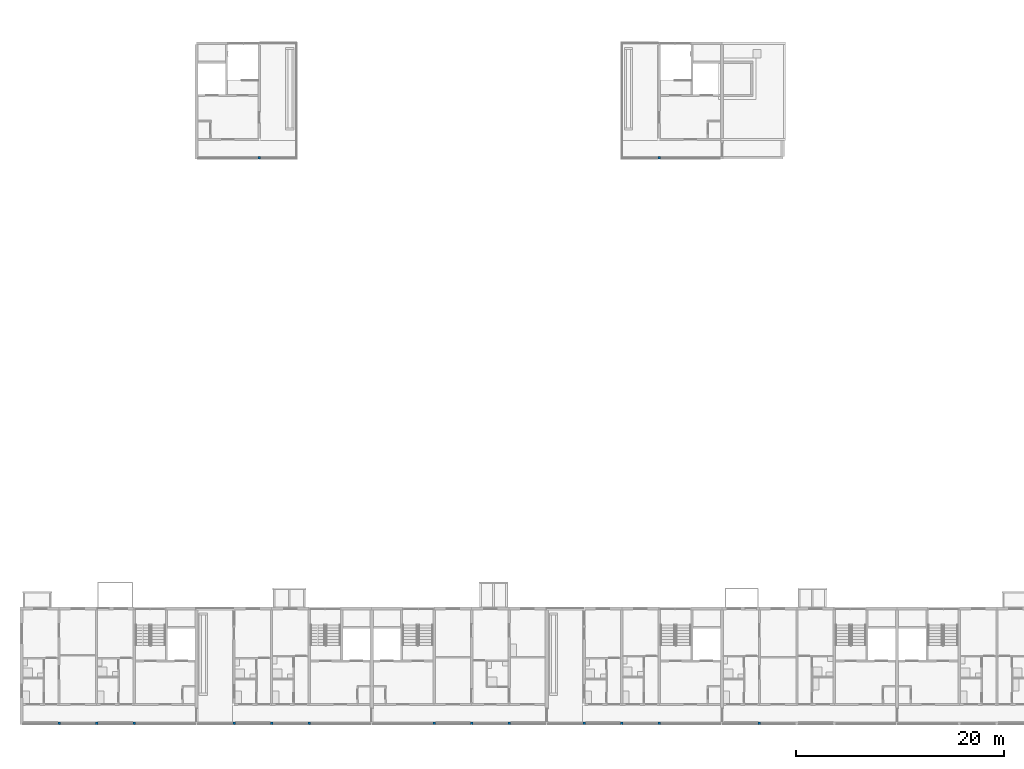
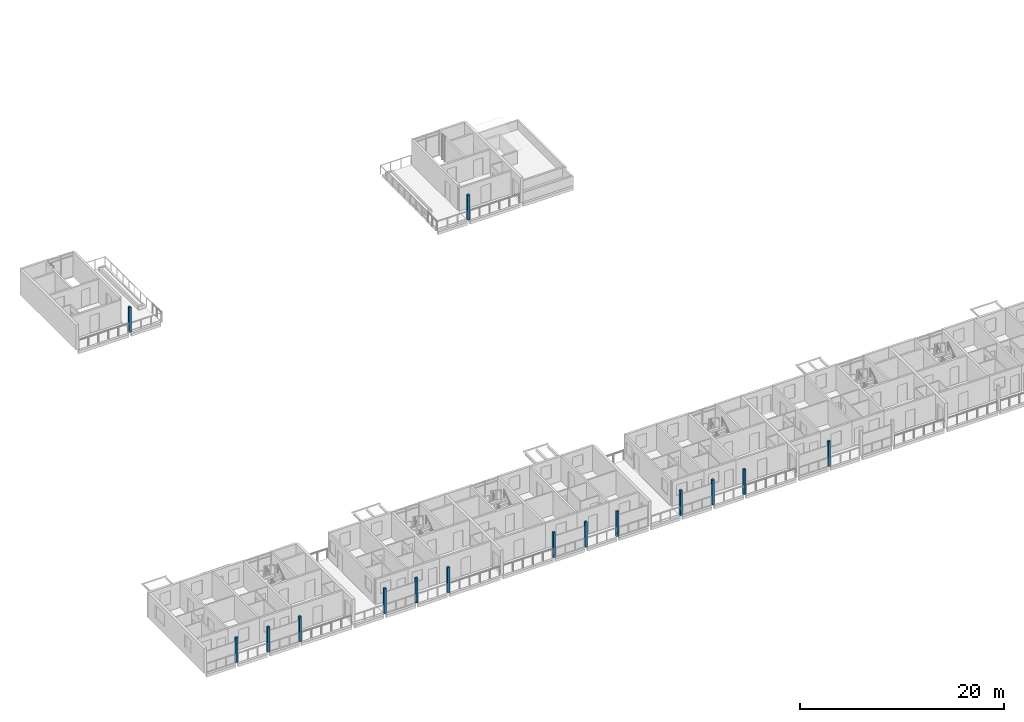
# One storey, part 1 of 78: 15 columns.
"""IFC4 building model written with IfcOpenShell, lengths in metres."""

from ifc_helpers import new_model, si_unit, direction, frame, origin, origin_2d, place, context, subcontext, project, spatial, rectangle, extrude, material, material_profile, profile_set, type_object, element, save


model = new_model("IFC4")

# Units and contexts
model_context = context("Model", 3, precision=1e-05, world=origin(), true_north=direction((0.0, 1.0)))
body_context = subcontext(model_context, "Body", "Model", "MODEL_VIEW")
ifc_project = project(units=[si_unit("LENGTHUNIT", "METRE"), si_unit("AREAUNIT", "SQUARE_METRE"), si_unit("VOLUMEUNIT", "CUBIC_METRE"), si_unit("PLANEANGLEUNIT", "RADIAN"), si_unit("MASSUNIT", "GRAM", prefix="KILO")], contexts=[model_context])

# Site, building, storey
site_placement = place(None, origin())
site = spatial("IfcSite", under=ifc_project, at=site_placement, CompositionType="ELEMENT")
building_placement = place(site_placement, origin())
building = spatial("IfcBuilding", under=site, at=building_placement, Name="Ridgestep Commons", CompositionType="ELEMENT")
storey_placement = place(building_placement, frame((0.0, 0.0, 30.0)))
storey = spatial("IfcBuildingStorey", under=building, at=storey_placement, Name="L10", CompositionType="ELEMENT", Elevation=30.0)

# Columns
ifc_material = material(Name="Precast concrete C40/50", Category="concrete")
ifc_material_profile = material_profile(ifc_material, rectangle(XDim=0.25, YDim=0.25, at=origin_2d()), Name="PC 250x250")
ifc_profile_set = profile_set([ifc_material_profile], Name="Precast concrete C40/50")
column_type = type_object("IfcColumnType", Name="Loggia column 250 x 250", PredefinedType="COLUMN", material=ifc_profile_set)
for number, where, z_axis, x_axis, name in (
    (1, (15.60009765625, 11.875, 0.0), (0.0, 0.0, 1.0), (1.0, 0.0, 0.0), "Loggia column A L10"),
    (2, (19.199951171875, 11.875, 0.0), (0.0, 0.0, 1.0), (1.0, 0.0, 0.0), "Loggia column A L10"),
    (3, (22.800048828125, 11.875, 0.0), (0.0, 0.0, 1.0), (1.0, 0.0, 0.0), "Loggia column A L10"),
    (4, (32.39990234375, 11.875, 0.0), (0.0, 0.0, 1.0), (1.0, 0.0, 0.0), "Loggia column A L10"),
    (5, (36.0, 11.875, 0.0), (0.0, 0.0, 1.0), (1.0, 0.0, 0.0), "Loggia column A L10"),
    (6, (39.60009765625, 11.875, 0.0), (0.0, 0.0, 1.0), (1.0, 0.0, 0.0), "Loggia column A L10"),
    (7, (51.60009765625, 11.875, 0.0), (0.0, 0.0, 1.0), (1.0, 0.0, 0.0), "Loggia column A L10"),
    (8, (55.199951171875, 11.875, 0.0), (0.0, 0.0, 1.0), (1.0, 0.0, 0.0), "Loggia column A L10"),
    (9, (58.800048828125, 11.875, 0.0), (0.0, 0.0, 1.0), (1.0, 0.0, 0.0), "Loggia column A L10"),
    (10, (66.0, 11.875, 0.0), (0.0, 0.0, 1.0), (1.0, 0.0, 0.0), "Loggia column A L10"),
    (11, (69.60009765625, 11.875, 0.0), (0.0, 0.0, 1.0), (1.0, 0.0, 0.0), "Loggia column A L10"),
    (12, (73.199951171875, 11.875, 0.0), (0.0, 0.0, 1.0), (1.0, 0.0, 0.0), "Loggia column A L10"),
    (13, (82.800048828125, 11.875, 0.0), (0.0, 0.0, 1.0), (1.0, 0.0, 0.0), "Loggia column A L10"),
    (14, (34.800048828125, 66.125, 0.0), (0.0, 0.0, 1.0), (1.0, 0.0, 0.0), "Loggia column B L10"),
    (15, (73.199951171875, 66.125, 0.0), (0.0, 0.0, 1.0), (1.0, 0.0, 0.0), "Loggia column B L10"),
):
    element("IfcColumn", number, at=place(storey_placement, frame(where, z_axis=z_axis, x_axis=x_axis)), inside=storey, type_object=column_type, Name=name, PredefinedType="COLUMN", context=body_context, shape_type="SweptSolid", body=[
        extrude(rectangle(XDim=0.25, YDim=0.25, at=origin_2d()), origin(), (0.0, 0.0, 1.0), 3.0),
    ])

save(model, "model.ifc")
